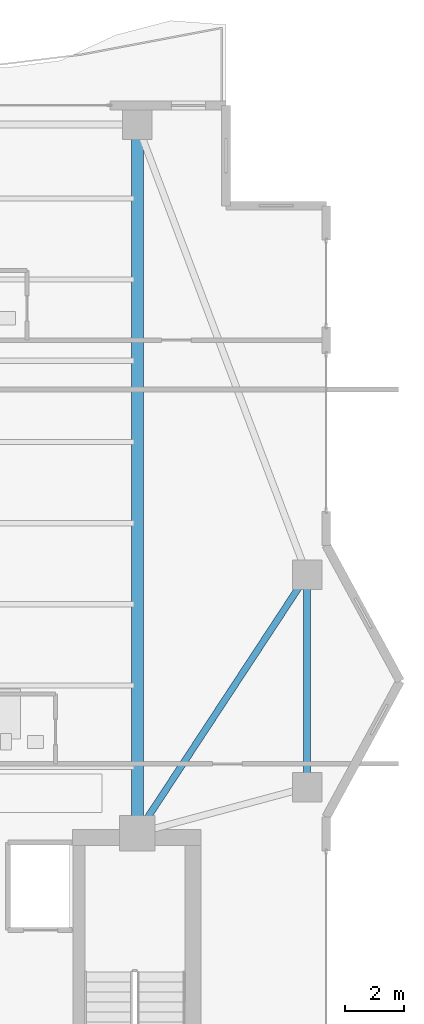
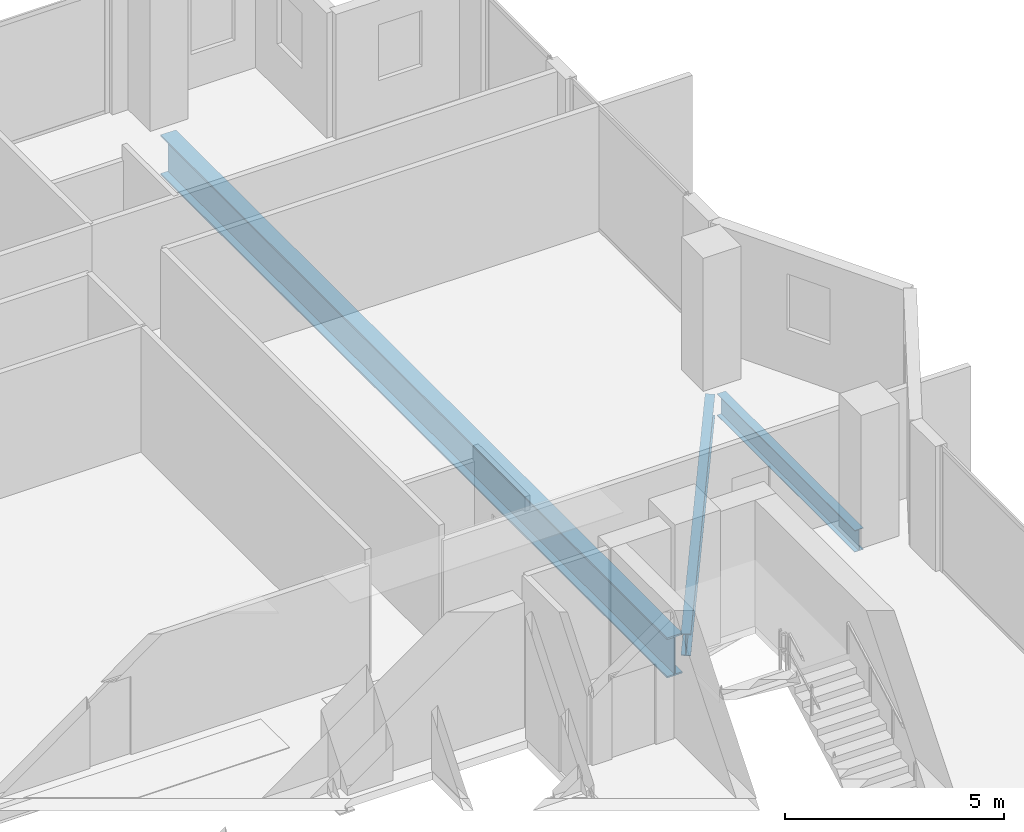
# One storey, part 10 of 26: 3 beams.
"""IFC4 building model written with IfcOpenShell, lengths in metres."""

from ifc_helpers import new_model, si_unit, direction, frame, origin, origin_2d, place, context, subcontext, project, spatial, i_section, extrude, material, material_profile, profile_set, type_object, element, save


model = new_model("IFC4")

# Units and contexts
model_context = context("Model", 3, precision=1e-05, world=origin(), true_north=direction((0.0, 1.0)))
body_context = subcontext(model_context, "Body", "Model", "MODEL_VIEW")
ifc_project = project(units=[si_unit("LENGTHUNIT", "METRE"), si_unit("AREAUNIT", "SQUARE_METRE"), si_unit("VOLUMEUNIT", "CUBIC_METRE"), si_unit("PLANEANGLEUNIT", "RADIAN"), si_unit("MASSUNIT", "GRAM", prefix="KILO")], contexts=[model_context])

# Site, building, storey
site_placement = place(None, origin())
site = spatial("IfcSite", under=ifc_project, at=site_placement, CompositionType="ELEMENT")
building_placement = place(site_placement, origin())
building = spatial("IfcBuilding", under=site, at=building_placement, Name="Zuhayl Quay Hotel", CompositionType="ELEMENT")
storey_placement = place(building_placement, frame((0.0, 0.0, 247.050048828125)))
storey = spatial("IfcBuildingStorey", under=building, at=storey_placement, Name="L62", CompositionType="ELEMENT", Elevation=247.050048828125)

# Beams
ifc_material_1 = material(Name="Steel ASTM A992 Grade 50", Category="steel")
ifc_material_profile_1 = material_profile(ifc_material_1, i_section(OverallWidth=0.22802734375, OverallDepth=0.60693359375, WebThickness=0.01123046875, FlangeThickness=0.017333984375, at=origin_2d()), Name="W24X76")
ifc_profile_set_1 = profile_set([ifc_material_profile_1], Name="Steel ASTM A992 Grade 50")
beam_type_1 = type_object("IfcBeamType", Name="BM_B3_W24X76", PredefinedType="BEAM", material=ifc_profile_set_1)
beam_1_placement = place(storey_placement, frame((19.550048828125, 16.360107421875, -0.5234375), z_axis=(0.0, 1.0, 0.0), x_axis=(-1.0, 0.0, 0.0)))
element("IfcBeam", 1, at=beam_1_placement, inside=storey, type_object=beam_type_1, Name="L62 Floor Beam RG_L62_05", PredefinedType="BEAM", context=body_context, shape_type="SweptSolid", body=[
    extrude(i_section(OverallWidth=0.22802734375, OverallDepth=0.60693359375, WebThickness=0.01123046875, FlangeThickness=0.017333984375, at=origin_2d()), origin(), (0.0, 0.0, 1.0), 6.27978515625),
])
beam_2_placement = place(storey_placement, frame((14.047119140625, 14.72607421875, -0.5234375), z_axis=(0.549177886661, 0.835705479701, 0.0), x_axis=(-0.835705479701, 0.549177886661, 0.0)))
element("IfcBeam", 2, at=beam_2_placement, inside=storey, type_object=beam_type_1, Name="L62 Floor Beam FG_E_L62_2", PredefinedType="BEAM", context=body_context, shape_type="SweptSolid", body=[
    extrude(i_section(OverallWidth=0.22802734375, OverallDepth=0.60693359375, WebThickness=0.01123046875, FlangeThickness=0.017333984375, at=origin_2d()), origin(), (0.0, 0.0, 1.0), 9.560302734375),
])
ifc_material_2 = material(Name="Steel ASTM A913 Grade 65", Category="steel")
ifc_material_profile_2 = material_profile(ifc_material_2, i_section(OverallWidth=0.404052734375, OverallDepth=1.117919921875, WebThickness=0.026123046875, FlangeThickness=0.044921875, at=origin_2d()), Name="W44X335")
ifc_profile_set_2 = profile_set([ifc_material_profile_2], Name="Steel ASTM A913 Grade 65")
beam_type_2 = type_object("IfcBeamType", Name="BM_TG1_W44X335", PredefinedType="BEAM", material=ifc_profile_set_2)
beam_3_placement = place(storey_placement, frame((13.800048828125, 14.800048828125, -0.779052734375), z_axis=(0.0, 1.0, 0.0), x_axis=(-1.0, 0.0, 0.0)))
element("IfcBeam", 3, at=beam_3_placement, inside=storey, type_object=beam_type_2, Name="L62 Floor Beam FG_N_L62_4", PredefinedType="BEAM", context=body_context, shape_type="SweptSolid", body=[
    extrude(i_section(OverallWidth=0.404052734375, OverallDepth=1.117919921875, WebThickness=0.026123046875, FlangeThickness=0.044921875, at=origin_2d()), origin(), (0.0, 0.0, 1.0), 23.08984375),
])

save(model, "model.ifc")
